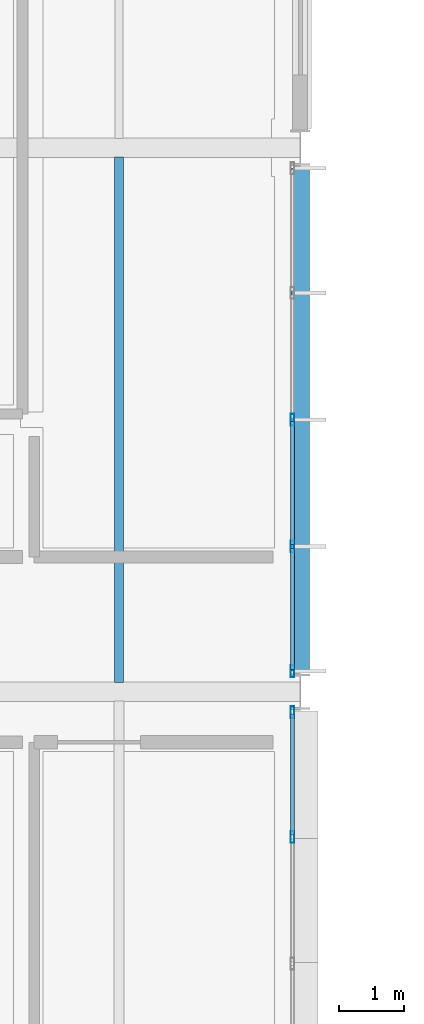
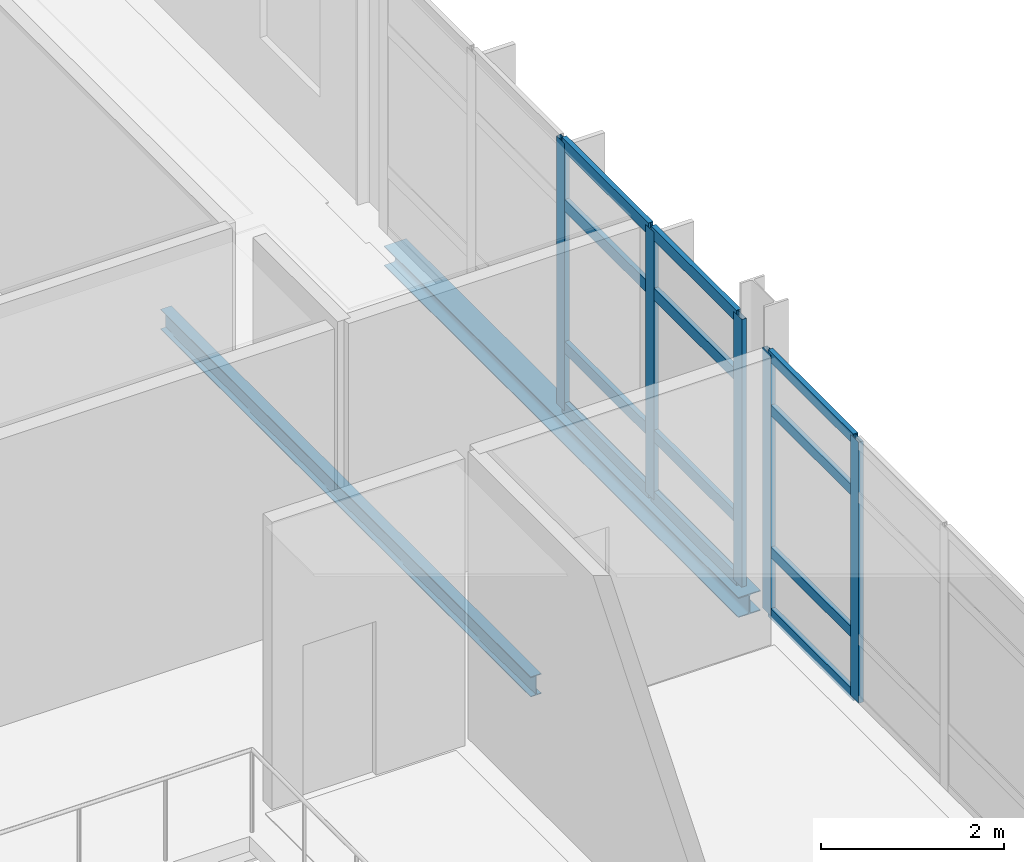
# One storey, part 62 of 151: 17 members, 2 beams, 2 elements without a shape of their own.
"""IFC4 building model written with IfcOpenShell, lengths in metres."""

from ifc_helpers import new_model, si_unit, direction, frame, origin, origin_2d, place, context, subcontext, project, spatial, hollow_rectangle, i_section, extrude, material, material_profile, profile_set, type_object, element, aggregate, save


model = new_model("IFC4")

# Units and contexts
model_context = context("Model", 3, precision=1e-05, world=origin(), true_north=direction((0.0, 1.0)))
body_context = subcontext(model_context, "Body", "Model", "MODEL_VIEW")
ifc_project = project(units=[si_unit("LENGTHUNIT", "METRE"), si_unit("AREAUNIT", "SQUARE_METRE"), si_unit("VOLUMEUNIT", "CUBIC_METRE"), si_unit("PLANEANGLEUNIT", "RADIAN"), si_unit("MASSUNIT", "GRAM", prefix="KILO")], contexts=[model_context])

# Site, building, storey
site_placement = place(None, origin())
site = spatial("IfcSite", under=ifc_project, at=site_placement, CompositionType="ELEMENT")
building_placement = place(site_placement, origin())
building = spatial("IfcBuilding", under=site, at=building_placement, Name="Mersafa Astral City Hall", CompositionType="ELEMENT")
storey_placement = place(building_placement, frame((0.0, 0.0, 9.89990234375)))
storey = spatial("IfcBuildingStorey", under=building, at=storey_placement, Name="L02", CompositionType="ELEMENT", Elevation=9.89990234375)

# Curtain wall, members
ifc_material_1 = material(Name="Anodised bronze aluminium framing", Category="aluminium")
curtain_wall_type_1 = type_object("IfcCurtainWallType", Name="ENV-CW-6", PredefinedType="USERDEFINED", material=ifc_material_1)
curtain_wall_1_placement = place(storey_placement, origin())
curtain_wall_1 = element("IfcCurtainWall", 1, at=curtain_wall_1_placement, inside=storey, type_object=curtain_wall_type_1, Name="L02 Unitised solar curtain wall 113", ObjectType="UNITISED CURTAIN WALL", PredefinedType="USERDEFINED")
ifc_material_profile_1 = material_profile(ifc_material_1, hollow_rectangle(XDim=0.06005859375, YDim=0.179931640625, WallThickness=0.00390625, at=origin_2d()), Name="RHS 60x180x4")
ifc_profile_set_1 = profile_set([ifc_material_profile_1], Name="Anodised bronze aluminium framing")
member_type_1 = type_object("IfcMemberType", Name="ENV-CW-MUL-1", PredefinedType="MULLION", material=ifc_profile_set_1)
member_1_placement = place(storey_placement, frame((117.47998046875, 73.3564453125, -0.001953125), z_axis=(0.0, 0.0, 1.0), x_axis=(-1.0, 0.0, 0.0)))
member_1 = element("IfcMember", 2, at=member_1_placement, type_object=member_type_1, Name="CW-6 mullion 4", PredefinedType="MULLION", context=body_context, shape_type="SweptSolid", body=[
    extrude(hollow_rectangle(XDim=0.06005859375, YDim=0.179931640625, WallThickness=0.00390625, at=origin_2d()), origin(), (0.0, 0.0, 1.0), 3.489013671875),
])
member_2_placement = place(storey_placement, frame((117.47998046875, 75.282958984375, -0.001953125), z_axis=(0.0, 0.0, 1.0), x_axis=(-1.0, 0.0, 0.0)))
member_2 = element("IfcMember", 3, at=member_2_placement, type_object=member_type_1, Name="CW-6 mullion 5", PredefinedType="MULLION", context=body_context, shape_type="SweptSolid", body=[
    extrude(hollow_rectangle(XDim=0.06005859375, YDim=0.179931640625, WallThickness=0.00390625, at=origin_2d()), origin(), (0.0, 0.0, 1.0), 3.489013671875),
])

curtain_wall_type_2 = type_object("IfcCurtainWallType", Name="ENV-CW-1", PredefinedType="USERDEFINED", material=ifc_material_1)
curtain_wall_2_placement = place(storey_placement, origin())
curtain_wall_2 = element("IfcCurtainWall", 4, at=curtain_wall_2_placement, inside=storey, type_object=curtain_wall_type_2, Name="L02 Unitised solar curtain wall 114", ObjectType="UNITISED CURTAIN WALL", PredefinedType="USERDEFINED")
member_3_placement = place(storey_placement, frame((117.47998046875, 75.9169921875, -0.001953125), z_axis=(0.0, 0.0, 1.0), x_axis=(-1.0, 0.0, 0.0)))
member_3 = element("IfcMember", 5, at=member_3_placement, type_object=member_type_1, Name="CW-1 mullion 1", PredefinedType="MULLION", context=body_context, shape_type="SweptSolid", body=[
    extrude(hollow_rectangle(XDim=0.06005859375, YDim=0.179931640625, WallThickness=0.00390625, at=origin_2d()), origin(), (0.0, 0.0, 1.0), 3.5791015625),
])
member_4_placement = place(storey_placement, frame((117.47998046875, 77.843505859375, -0.001953125), z_axis=(0.0, 0.0, 1.0), x_axis=(-1.0, 0.0, 0.0)))
member_4 = element("IfcMember", 6, at=member_4_placement, type_object=member_type_1, Name="CW-1 mullion 2", PredefinedType="MULLION", context=body_context, shape_type="SweptSolid", body=[
    extrude(hollow_rectangle(XDim=0.06005859375, YDim=0.179931640625, WallThickness=0.00390625, at=origin_2d()), origin(), (0.0, 0.0, 1.0), 3.5791015625),
])
member_5_placement = place(storey_placement, frame((117.47998046875, 79.800048828125, -0.001953125), z_axis=(0.0, 0.0, 1.0), x_axis=(-1.0, 0.0, 0.0)))
member_5 = element("IfcMember", 7, at=member_5_placement, type_object=member_type_1, Name="CW-1 mullion 3", PredefinedType="MULLION", context=body_context, shape_type="SweptSolid", body=[
    extrude(hollow_rectangle(XDim=0.06005859375, YDim=0.179931640625, WallThickness=0.00390625, at=origin_2d()), origin(), (0.0, 0.0, 1.0), 3.5791015625),
])

# Member
ifc_material_profile_2 = material_profile(ifc_material_1, hollow_rectangle(XDim=0.06005859375, YDim=0.139892578125, WallThickness=0.00390625, at=origin_2d()), Name="RHS 60x140x4")
ifc_profile_set_2 = profile_set([ifc_material_profile_2], Name="Anodised bronze aluminium framing")
member_type_2 = type_object("IfcMemberType", Name="ENV-CW-TRN-1", PredefinedType="USERDEFINED", material=ifc_profile_set_2)
member_6_placement = place(storey_placement, frame((117.47998046875, 73.386474609375, 0.028076171875), z_axis=(0.0, 1.0, 0.0), x_axis=(-1.0, 0.0, 0.0)))
member_6 = element("IfcMember", 8, at=member_6_placement, type_object=member_type_2, Name="CW-6 transom 4.1", ObjectType="TRANSOM", PredefinedType="USERDEFINED", context=body_context, shape_type="SweptSolid", body=[
    extrude(hollow_rectangle(XDim=0.06005859375, YDim=0.139892578125, WallThickness=0.00390625, at=origin_2d()), origin(), (0.0, 0.0, 1.0), 1.866455078125),
])

member_7_placement = place(storey_placement, frame((117.47998046875, 73.386474609375, 0.85009765625), z_axis=(0.0, 1.0, 0.0), x_axis=(-1.0, 0.0, 0.0)))
member_7 = element("IfcMember", 9, at=member_7_placement, type_object=member_type_2, Name="CW-6 transom 4.2", ObjectType="TRANSOM", PredefinedType="USERDEFINED", context=body_context, shape_type="SweptSolid", body=[
    extrude(hollow_rectangle(XDim=0.06005859375, YDim=0.139892578125, WallThickness=0.00390625, at=origin_2d()), origin(), (0.0, 0.0, 1.0), 1.866455078125),
])

member_8_placement = place(storey_placement, frame((117.47998046875, 73.386474609375, 2.75), z_axis=(0.0, 1.0, 0.0), x_axis=(-1.0, 0.0, 0.0)))
member_8 = element("IfcMember", 10, at=member_8_placement, type_object=member_type_2, Name="CW-6 transom 4.3", ObjectType="TRANSOM", PredefinedType="USERDEFINED", context=body_context, shape_type="SweptSolid", body=[
    extrude(hollow_rectangle(XDim=0.06005859375, YDim=0.139892578125, WallThickness=0.00390625, at=origin_2d()), origin(), (0.0, 0.0, 1.0), 1.866455078125),
])

member_9_placement = place(storey_placement, frame((117.47998046875, 73.386474609375, 3.45703125), z_axis=(0.0, 1.0, 0.0), x_axis=(-1.0, 0.0, 0.0)))
member_9 = element("IfcMember", 11, at=member_9_placement, type_object=member_type_2, Name="CW-6 transom 4.4", ObjectType="TRANSOM", PredefinedType="USERDEFINED", context=body_context, shape_type="SweptSolid", body=[
    extrude(hollow_rectangle(XDim=0.06005859375, YDim=0.139892578125, WallThickness=0.00390625, at=origin_2d()), origin(), (0.0, 0.0, 1.0), 1.866455078125),
])

aggregate(curtain_wall_1, [member_1, member_2, member_6, member_7, member_8, member_9])

ifc_material_profile_3 = material_profile(ifc_material_1, hollow_rectangle(XDim=0.06005859375, YDim=0.159912109375, WallThickness=0.00390625, at=origin_2d()), Name="RHS 60x160x4")
ifc_profile_set_3 = profile_set([ifc_material_profile_3], Name="Anodised bronze aluminium framing")
member_type_3 = type_object("IfcMemberType", Name="ENV-CW-TRN-2", PredefinedType="USERDEFINED", material=ifc_profile_set_3)
member_10_placement = place(storey_placement, frame((117.47998046875, 75.947021484375, 0.028076171875), z_axis=(0.0, 1.0, 0.0), x_axis=(-1.0, 0.0, 0.0)))
member_10 = element("IfcMember", 12, at=member_10_placement, type_object=member_type_3, Name="CW-1 transom 1.1", ObjectType="TRANSOM", PredefinedType="USERDEFINED", context=body_context, shape_type="SweptSolid", body=[
    extrude(hollow_rectangle(XDim=0.06005859375, YDim=0.159912109375, WallThickness=0.00390625, at=origin_2d()), origin(), (0.0, 0.0, 1.0), 1.866455078125),
])

member_11_placement = place(storey_placement, frame((117.47998046875, 75.947021484375, 0.85009765625), z_axis=(0.0, 1.0, 0.0), x_axis=(-1.0, 0.0, 0.0)))
member_11 = element("IfcMember", 13, at=member_11_placement, type_object=member_type_3, Name="CW-1 transom 1.2", ObjectType="TRANSOM", PredefinedType="USERDEFINED", context=body_context, shape_type="SweptSolid", body=[
    extrude(hollow_rectangle(XDim=0.06005859375, YDim=0.159912109375, WallThickness=0.00390625, at=origin_2d()), origin(), (0.0, 0.0, 1.0), 1.866455078125),
])

member_12_placement = place(storey_placement, frame((117.47998046875, 75.947021484375, 2.75), z_axis=(0.0, 1.0, 0.0), x_axis=(-1.0, 0.0, 0.0)))
member_12 = element("IfcMember", 14, at=member_12_placement, type_object=member_type_3, Name="CW-1 transom 1.3", ObjectType="TRANSOM", PredefinedType="USERDEFINED", context=body_context, shape_type="SweptSolid", body=[
    extrude(hollow_rectangle(XDim=0.06005859375, YDim=0.159912109375, WallThickness=0.00390625, at=origin_2d()), origin(), (0.0, 0.0, 1.0), 1.866455078125),
])

member_13_placement = place(storey_placement, frame((117.47998046875, 75.947021484375, 3.547119140625), z_axis=(0.0, 1.0, 0.0), x_axis=(-1.0, 0.0, 0.0)))
member_13 = element("IfcMember", 15, at=member_13_placement, type_object=member_type_3, Name="CW-1 transom 1.4", ObjectType="TRANSOM", PredefinedType="USERDEFINED", context=body_context, shape_type="SweptSolid", body=[
    extrude(hollow_rectangle(XDim=0.06005859375, YDim=0.159912109375, WallThickness=0.00390625, at=origin_2d()), origin(), (0.0, 0.0, 1.0), 1.866455078125),
])

member_14_placement = place(storey_placement, frame((117.47998046875, 77.87353515625, 0.028076171875), z_axis=(0.0, 1.0, 0.0), x_axis=(-1.0, 0.0, 0.0)))
member_14 = element("IfcMember", 16, at=member_14_placement, type_object=member_type_3, Name="CW-1 transom 2.1", ObjectType="TRANSOM", PredefinedType="USERDEFINED", context=body_context, shape_type="SweptSolid", body=[
    extrude(hollow_rectangle(XDim=0.06005859375, YDim=0.159912109375, WallThickness=0.00390625, at=origin_2d()), origin(), (0.0, 0.0, 1.0), 1.896484375),
])

member_15_placement = place(storey_placement, frame((117.47998046875, 77.87353515625, 0.85009765625), z_axis=(0.0, 1.0, 0.0), x_axis=(-1.0, 0.0, 0.0)))
member_15 = element("IfcMember", 17, at=member_15_placement, type_object=member_type_3, Name="CW-1 transom 2.2", ObjectType="TRANSOM", PredefinedType="USERDEFINED", context=body_context, shape_type="SweptSolid", body=[
    extrude(hollow_rectangle(XDim=0.06005859375, YDim=0.159912109375, WallThickness=0.00390625, at=origin_2d()), origin(), (0.0, 0.0, 1.0), 1.896484375),
])

member_16_placement = place(storey_placement, frame((117.47998046875, 77.87353515625, 2.75), z_axis=(0.0, 1.0, 0.0), x_axis=(-1.0, 0.0, 0.0)))
member_16 = element("IfcMember", 18, at=member_16_placement, type_object=member_type_3, Name="CW-1 transom 2.3", ObjectType="TRANSOM", PredefinedType="USERDEFINED", context=body_context, shape_type="SweptSolid", body=[
    extrude(hollow_rectangle(XDim=0.06005859375, YDim=0.159912109375, WallThickness=0.00390625, at=origin_2d()), origin(), (0.0, 0.0, 1.0), 1.896484375),
])

member_17_placement = place(storey_placement, frame((117.47998046875, 77.87353515625, 3.547119140625), z_axis=(0.0, 1.0, 0.0), x_axis=(-1.0, 0.0, 0.0)))
member_17 = element("IfcMember", 19, at=member_17_placement, type_object=member_type_3, Name="CW-1 transom 2.4", ObjectType="TRANSOM", PredefinedType="USERDEFINED", context=body_context, shape_type="SweptSolid", body=[
    extrude(hollow_rectangle(XDim=0.06005859375, YDim=0.159912109375, WallThickness=0.00390625, at=origin_2d()), origin(), (0.0, 0.0, 1.0), 1.896484375),
])

aggregate(curtain_wall_2, [member_3, member_4, member_5, member_10, member_11, member_12, member_13, member_14, member_15, member_16, member_17])

# Beams
ifc_material_2 = material(Name="Steel S355", Category="steel")
ifc_material_profile_4 = material_profile(ifc_material_2, i_section(OverallWidth=0.135009765625, OverallDepth=0.27001953125, WebThickness=0.006591796875, FlangeThickness=0.01025390625, FilletRadius=0.014892578125, at=origin_2d()), Name="IPE 270")
ifc_profile_set_4 = profile_set([ifc_material_profile_4], Name="Steel S355")
beam_type_1 = type_object("IfcBeamType", Name="STR-BM-JOIST-IPE270", PredefinedType="JOIST", material=ifc_profile_set_4)
beam_1_placement = place(storey_placement, frame((114.800048828125, 75.7451171875, -0.3349609375), z_axis=(0.0, 1.0, 0.0), x_axis=(-1.0, 0.0, 0.0)))
element("IfcBeam", 20, at=beam_1_placement, inside=storey, type_object=beam_type_1, Name="L02 Composite secondary floor joist 483", PredefinedType="JOIST", context=body_context, shape_type="SweptSolid", body=[
    extrude(i_section(OverallWidth=0.135009765625, OverallDepth=0.27001953125, WebThickness=0.006591796875, FlangeThickness=0.01025390625, FilletRadius=0.014892578125, at=origin_2d()), origin(), (0.0, 0.0, 1.0), 8.10986328125),
])
ifc_material_profile_5 = material_profile(ifc_material_2, i_section(OverallWidth=0.280029296875, OverallDepth=0.27001953125, WebThickness=0.008056640625, FlangeThickness=0.012939453125, FilletRadius=0.02392578125, at=origin_2d()), Name="HEA 280")
ifc_profile_set_5 = profile_set([ifc_material_profile_5], Name="Steel S355")
beam_type_2 = type_object("IfcBeamType", Name="STR-BM-SPANDREL-HEA280", PredefinedType="SPANDREL", material=ifc_profile_set_5)
beam_2_placement = place(storey_placement, frame((117.60009765625, 75.919921875, -0.3349609375), z_axis=(0.0, 1.0, 0.0), x_axis=(-1.0, 0.0, 0.0)))
element("IfcBeam", 21, at=beam_2_placement, inside=storey, type_object=beam_type_2, Name="L02 Primary girder Y 14-9", PredefinedType="SPANDREL", context=body_context, shape_type="SweptSolid", body=[
    extrude(i_section(OverallWidth=0.280029296875, OverallDepth=0.27001953125, WebThickness=0.008056640625, FlangeThickness=0.012939453125, FilletRadius=0.02392578125, at=origin_2d()), origin(), (0.0, 0.0, 1.0), 7.760009765625),
])

save(model, "model.ifc")
